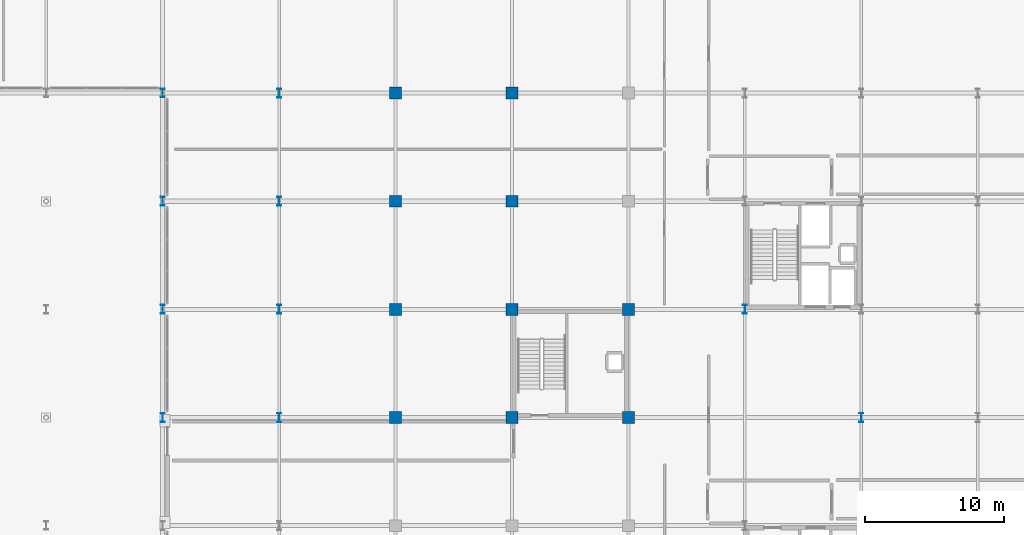
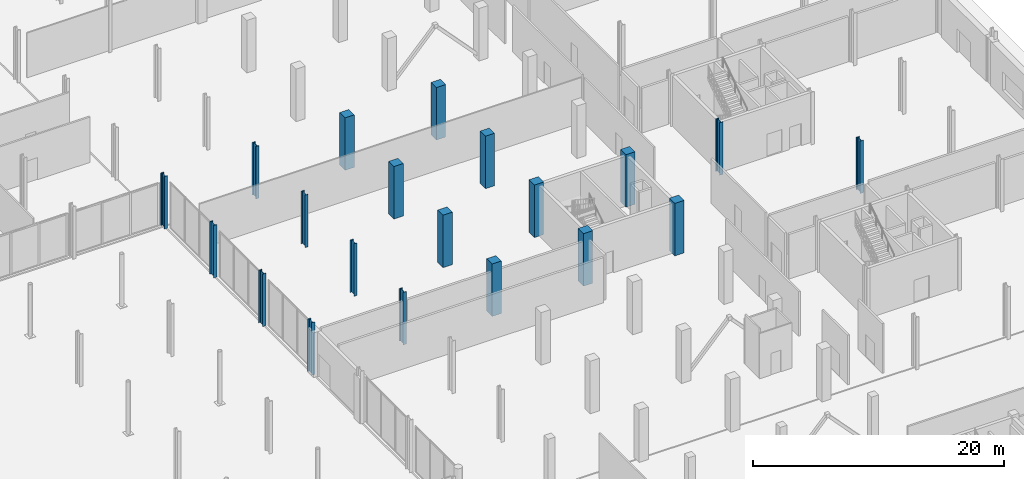
# One storey, part 15 of 80: 20 columns.
"""IFC4 building model written with IfcOpenShell, lengths in metres."""

from ifc_helpers import new_model, si_unit, direction, frame, origin, origin_2d, place, context, subcontext, project, spatial, rectangle, i_section, extrude, material, material_profile, profile_set, type_object, element, save


model = new_model("IFC4")

# Units and contexts
model_context = context("Model", 3, precision=1e-05, world=origin(), true_north=direction((0.0, 1.0)))
body_context = subcontext(model_context, "Body", "Model", "MODEL_VIEW")
ifc_project = project(units=[si_unit("LENGTHUNIT", "METRE"), si_unit("AREAUNIT", "SQUARE_METRE"), si_unit("VOLUMEUNIT", "CUBIC_METRE"), si_unit("PLANEANGLEUNIT", "RADIAN"), si_unit("MASSUNIT", "GRAM", prefix="KILO")], contexts=[model_context])

# Site, building, storey
site_placement = place(None, origin())
site = spatial("IfcSite", under=ifc_project, at=site_placement, CompositionType="ELEMENT")
building_placement = place(site_placement, origin())
building = spatial("IfcBuilding", under=site, at=building_placement, Name="Nabrawat Pavilion Hospital", CompositionType="ELEMENT")
storey_placement = place(building_placement, origin())
storey = spatial("IfcBuildingStorey", under=building, at=storey_placement, Name="L00", CompositionType="ELEMENT", Elevation=0.0)

# Columns
ifc_material_1 = material(Name="Steel S355", Category="steel")
ifc_material_profile_1 = material_profile(ifc_material_1, i_section(OverallWidth=0.300048828125, OverallDepth=0.60009765625, WebThickness=0.015380859375, FlangeThickness=0.030029296875, FilletRadius=0.027099609375, at=origin_2d()), Name="HEB 600")
ifc_profile_set_1 = profile_set([ifc_material_profile_1], Name="Steel S355")
column_type_1 = type_object("IfcColumnType", Name="Composite Steel Column HEB 600", PredefinedType="COLUMN", material=ifc_profile_set_1)
column_placement = place(storey_placement, frame((126.0, 85.800048828125, 0.0), z_axis=(0.0, 0.0, 1.0), x_axis=(1.0, 0.0, 0.0)))
element("IfcColumn", 1, at=column_placement, inside=storey, type_object=column_type_1, Name="L00 Structural Column G-16A-M1", PredefinedType="COLUMN", context=body_context, shape_type="SweptSolid", body=[
    extrude(i_section(OverallWidth=0.300048828125, OverallDepth=0.60009765625, WebThickness=0.015380859375, FlangeThickness=0.030029296875, FilletRadius=0.027099609375, at=origin_2d()), origin(), (0.0, 0.0, 1.0), 5.10009765625),
])
ifc_material_profile_2 = material_profile(ifc_material_1, i_section(OverallWidth=0.300048828125, OverallDepth=0.64990234375, WebThickness=0.01611328125, FlangeThickness=0.031005859375, FilletRadius=0.027099609375, at=origin_2d()), Name="HEB 650")
ifc_profile_set_2 = profile_set([ifc_material_profile_2], Name="Steel S355")
column_type_2 = type_object("IfcColumnType", Name="Heavy Composite Steel Column HEB 650", PredefinedType="COLUMN", material=ifc_profile_set_2)
for number, where, z_axis, x_axis, name in (
    (2, (126.0, 62.39990234375, 0.0), (0.0, 0.0, 1.0), (1.0, 0.0, 0.0), "L00 Structural Column G-16A-J"),
    (3, (126.0, 70.199951171875, 0.0), (0.0, 0.0, 1.0), (1.0, 0.0, 0.0), "L00 Structural Column G-16A-K"),
    (4, (126.0, 78.0, 0.0), (0.0, 0.0, 1.0), (1.0, 0.0, 0.0), "L00 Structural Column G-16A-L"),
    (5, (134.39990234375, 62.39990234375, 0.0), (0.0, 0.0, 1.0), (1.0, 0.0, 0.0), "L00 Structural Column G-17-J"),
    (6, (134.39990234375, 70.199951171875, 0.0), (0.0, 0.0, 1.0), (1.0, 0.0, 0.0), "L00 Structural Column G-17-K"),
    (7, (134.39990234375, 78.0, 0.0), (0.0, 0.0, 1.0), (1.0, 0.0, 0.0), "L00 Structural Column G-17-L"),
    (8, (134.39990234375, 85.800048828125, 0.0), (0.0, 0.0, 1.0), (1.0, 0.0, 0.0), "L00 Structural Column G-17-M1"),
    (9, (168.0, 70.199951171875, 0.0), (0.0, 0.0, 1.0), (1.0, 0.0, 0.0), "L00 Structural Column G-21-K"),
    (10, (176.39990234375, 62.39990234375, 0.0), (0.0, 0.0, 1.0), (1.0, 0.0, 0.0), "L00 Structural Column G-22-J"),
):
    element("IfcColumn", number, at=place(storey_placement, frame(where, z_axis=z_axis, x_axis=x_axis)), inside=storey, type_object=column_type_2, Name=name, PredefinedType="COLUMN", context=body_context, shape_type="SweptSolid", body=[
        extrude(i_section(OverallWidth=0.300048828125, OverallDepth=0.64990234375, WebThickness=0.01611328125, FlangeThickness=0.031005859375, FilletRadius=0.027099609375, at=origin_2d()), origin(), (0.0, 0.0, 1.0), 5.10009765625),
    ])
ifc_material_2 = material(Name="Concrete C40/50", Category="concrete")
ifc_material_profile_3 = material_profile(ifc_material_2, rectangle(XDim=0.85009765625, YDim=0.85009765625, at=origin_2d()), Name="RC 850x850")
ifc_profile_set_3 = profile_set([ifc_material_profile_3], Name="Concrete C40/50")
column_type_3 = type_object("IfcColumnType", Name="Lower Ward RC Column 850x850", PredefinedType="COLUMN", material=ifc_profile_set_3)
for number, where, z_axis, x_axis, name in (
    (11, (142.800048828125, 62.39990234375, 0.0), (0.0, 0.0, 1.0), (1.0, 0.0, 0.0), "L00 Structural Column G-18-J"),
    (12, (142.800048828125, 70.199951171875, 0.0), (0.0, 0.0, 1.0), (1.0, 0.0, 0.0), "L00 Structural Column G-18-K"),
    (13, (142.800048828125, 78.0, 0.0), (0.0, 0.0, 1.0), (1.0, 0.0, 0.0), "L00 Structural Column G-18-L"),
    (14, (142.800048828125, 85.800048828125, 0.0), (0.0, 0.0, 1.0), (1.0, 0.0, 0.0), "L00 Structural Column G-18-M1"),
    (15, (151.199951171875, 62.39990234375, 0.0), (0.0, 0.0, 1.0), (1.0, 0.0, 0.0), "L00 Structural Column G-19-J"),
    (16, (151.199951171875, 70.199951171875, 0.0), (0.0, 0.0, 1.0), (1.0, 0.0, 0.0), "L00 Structural Column G-19-K"),
    (17, (151.199951171875, 78.0, 0.0), (0.0, 0.0, 1.0), (1.0, 0.0, 0.0), "L00 Structural Column G-19-L"),
    (18, (151.199951171875, 85.800048828125, 0.0), (0.0, 0.0, 1.0), (1.0, 0.0, 0.0), "L00 Structural Column G-19-M1"),
    (19, (159.60009765625, 62.39990234375, 0.0), (0.0, 0.0, 1.0), (1.0, 0.0, 0.0), "L00 Structural Column G-20-J"),
    (20, (159.60009765625, 70.199951171875, 0.0), (0.0, 0.0, 1.0), (1.0, 0.0, 0.0), "L00 Structural Column G-20-K"),
):
    element("IfcColumn", number, at=place(storey_placement, frame(where, z_axis=z_axis, x_axis=x_axis)), inside=storey, type_object=column_type_3, Name=name, PredefinedType="COLUMN", context=body_context, shape_type="SweptSolid", body=[
        extrude(rectangle(XDim=0.85009765625, YDim=0.85009765625, at=origin_2d()), origin(), (0.0, 0.0, 1.0), 5.10009765625),
    ])

save(model, "model.ifc")
